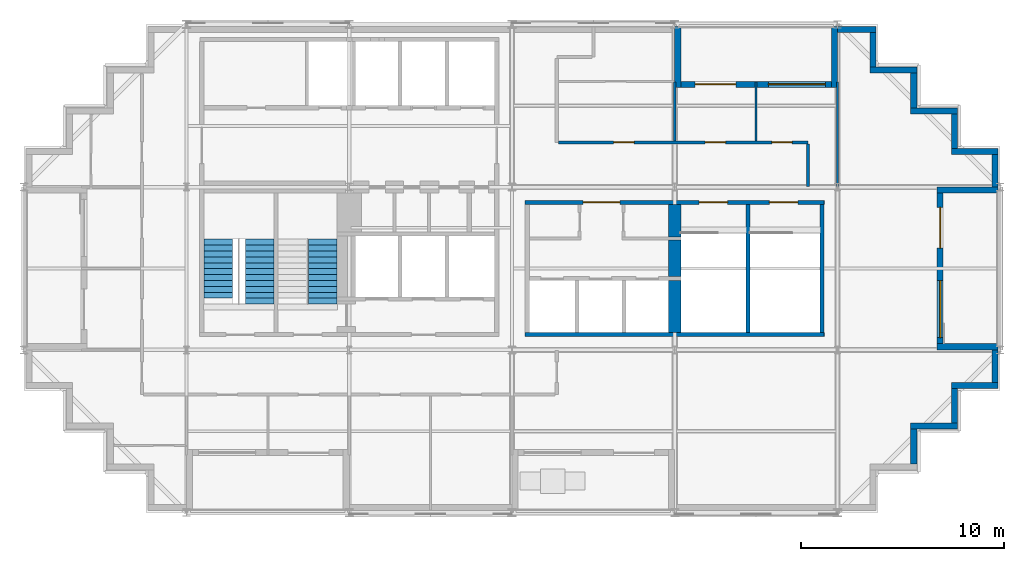
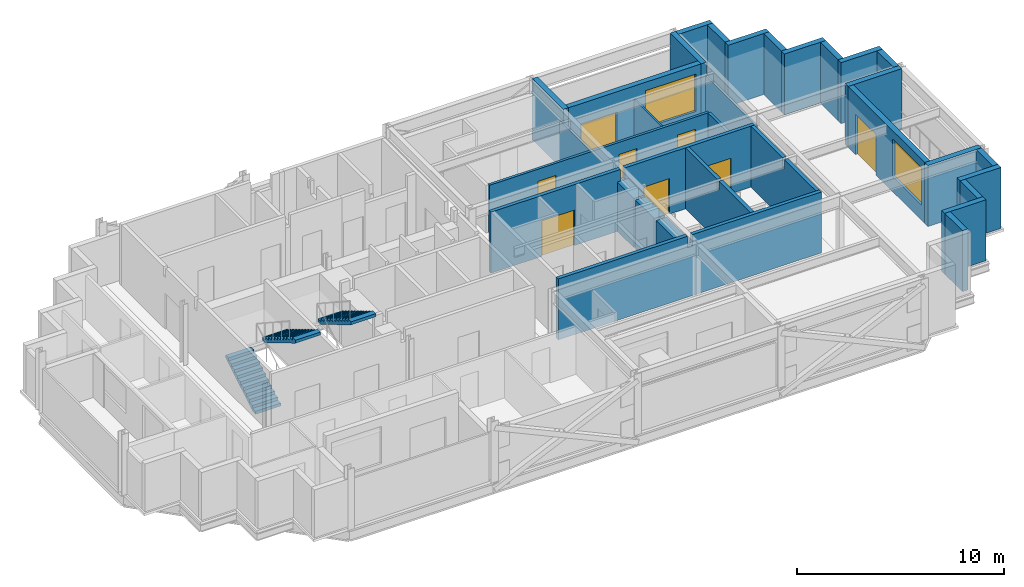
# One storey, part 7 of 10: 31 walls, 8 doors, 3 stair flights, 2 windows, 10 openings, 2 elements without a shape of their own.
"""IFC4 building model written with IfcOpenShell, lengths in metres."""

from ifc_helpers import new_model, si_unit, direction, frame, frame_2d, origin, place, context, subcontext, project, spatial, polyline, rectangle, outline, extrude, material, layer, layer_set, type_object, element, fill, aggregate, save


model = new_model("IFC4")

# Units and contexts
model_context = context("Model", 3, precision=1e-05, world=origin(), true_north=direction((0.0, 1.0)))
body_context = subcontext(model_context, "Body", "Model", "MODEL_VIEW")
ifc_project = project(units=[si_unit("LENGTHUNIT", "METRE"), si_unit("AREAUNIT", "SQUARE_METRE"), si_unit("VOLUMEUNIT", "CUBIC_METRE"), si_unit("PLANEANGLEUNIT", "RADIAN"), si_unit("MASSUNIT", "GRAM", prefix="KILO")], contexts=[model_context])

# Site, building, storey
site_placement = place(None, origin())
site = spatial("IfcSite", under=ifc_project, at=site_placement, CompositionType="ELEMENT")
building_placement = place(site_placement, origin())
building = spatial("IfcBuilding", under=site, at=building_placement, Name="Immortelle Media Tower", CompositionType="ELEMENT")
storey_placement = place(building_placement, frame((0.0, 0.0, 295.0)))
storey = spatial("IfcBuildingStorey", under=building, at=storey_placement, Name="L65", CompositionType="ELEMENT", Elevation=295.0)

# Wall
ifc_material_1 = material(Name="Fire-rated gypsum board", Category="gypsum")
ifc_layer_1 = layer(ifc_material_1, 0.012451171875)
ifc_material_2 = material(Name="Steel ASTM A653 SS Gr 50 stud frame with mineral wool", Category="steel")
ifc_layer_2 = layer(ifc_material_2, 0.125)
ifc_layer_3 = layer(ifc_material_1, 0.012451171875)
ifc_layer_set_1 = layer_set([ifc_layer_1, ifc_layer_2, ifc_layer_3], Name="Steel ASTM A653 SS Gr 50 stud frame with mineral wool")
wall_type_1 = type_object("IfcWallType", Name="Corridor wall 150", PredefinedType="PARTITIONING", material=ifc_layer_set_1)
wall_1_placement = place(storey_placement, frame((38.550048828125, 16.030029296875, 0.0), z_axis=(0.0, 0.0, 1.0), x_axis=(0.0, 1.0, 0.0)))
element("IfcWall", 1, at=wall_1_placement, inside=storey, type_object=wall_type_1, Name="Partition L65-016", PredefinedType="PARTITIONING", context=body_context, shape_type="SweptSolid", body=[
    extrude(rectangle(XDim=2.094970703125, YDim=0.14990234375, at=frame_2d((1.04736328125, 0.0))), origin(), (0.0, 0.0, 1.0), 2.81396484375),
])

# Wall, openings, doors
wall_2_placement = place(storey_placement, frame((26.27490234375, 18.199951171875, 0.0), z_axis=(0.0, 0.0, 1.0), x_axis=(1.0, 0.0, 0.0)))
wall_2 = element("IfcWall", 2, at=wall_2_placement, inside=storey, type_object=wall_type_1, Name="Partition L65-018", PredefinedType="PARTITIONING", context=body_context, shape_type="SweptSolid", body=[
    extrude(rectangle(XDim=12.275146484375, YDim=0.14990234375, at=frame_2d((6.1376953125, 0.0))), origin(), (0.0, 0.0, 1.0), 2.81396484375),
])
opening_1_placement = place(wall_2_placement, frame((7.22509765625, 0.0, 0.0)))
opening_1 = element("IfcOpeningElement", 3, at=opening_1_placement, cuts=wall_2, Name="Opening X6-F012", PredefinedType="OPENING", context=body_context, shape_type="SweptSolid", body=[
    extrude(rectangle(XDim=1.0, YDim=2.10009765625, at=frame_2d((0.5, 1.050048828125))), frame((0.0, 0.0849609375, 0.0), z_axis=(0.0, -1.0, 0.0), x_axis=(1.0, 0.0, 0.0)), (0.0, 0.0, 1.0), 0.169921875),
])
opening_2_placement = place(wall_2_placement, frame((10.5, 0.0, 0.0)))
opening_2 = element("IfcOpeningElement", 4, at=opening_2_placement, cuts=wall_2, Name="Opening X6-F013", PredefinedType="OPENING", context=body_context, shape_type="SweptSolid", body=[
    extrude(rectangle(XDim=1.0, YDim=2.10009765625, at=frame_2d((0.5, 1.050048828125))), frame((0.0, 0.0849609375, 0.0), z_axis=(0.0, -1.0, 0.0), x_axis=(1.0, 0.0, 0.0)), (0.0, 0.0, 1.0), 0.169921875),
])
opening_3_placement = place(wall_2_placement, frame((2.72509765625, 0.0, 0.0)))
opening_3 = element("IfcOpeningElement", 5, at=opening_3_placement, cuts=wall_2, Name="Opening X6-F014", PredefinedType="OPENING", context=body_context, shape_type="SweptSolid", body=[
    extrude(rectangle(XDim=1.0, YDim=2.10009765625, at=frame_2d((0.5, 1.050048828125))), frame((0.0, 0.0849609375, 0.0), z_axis=(0.0, -1.0, 0.0), x_axis=(1.0, 0.0, 0.0)), (0.0, 0.0, 1.0), 0.169921875),
])
ifc_material_3 = material(Name="Timber veneered door leaf, galvanised steel frame ASTM A653", Category="steel")
door_type_1 = type_object("IfcDoorType", Name="Room door 1000 x 2100", OperationType="NOTDEFINED", PredefinedType="DOOR", material=ifc_material_3)
door_1_placement = place(opening_1_placement, origin())
door_1 = element("IfcDoor", 6, at=door_1_placement, inside=storey, type_object=door_type_1, Name="Door X6-F012", OperationType="SINGLE_SWING_LEFT", OverallHeight=2.10009765625, OverallWidth=1.0, PredefinedType="DOOR", context=body_context, shape_type="SweptSolid", body=[
    extrude(rectangle(XDim=1.0, YDim=2.10009765625, at=frame_2d((0.5, 1.050048828125))), frame((0.0, 0.02490234375, 0.0), z_axis=(0.0, -1.0, 0.0), x_axis=(1.0, 0.0, 0.0)), (0.0, 0.0, 1.0), 0.050048828125),
])
fill(opening_1, door_1)
door_2_placement = place(opening_2_placement, origin())
door_2 = element("IfcDoor", 7, at=door_2_placement, inside=storey, type_object=door_type_1, Name="Door X6-F013", OperationType="SINGLE_SWING_LEFT", OverallHeight=2.10009765625, OverallWidth=1.0, PredefinedType="DOOR", context=body_context, shape_type="SweptSolid", body=[
    extrude(rectangle(XDim=1.0, YDim=2.10009765625, at=frame_2d((0.5, 1.050048828125))), frame((0.0, 0.02490234375, 0.0), z_axis=(0.0, -1.0, 0.0), x_axis=(1.0, 0.0, 0.0)), (0.0, 0.0, 1.0), 0.050048828125),
])
fill(opening_2, door_2)
door_3_placement = place(opening_3_placement, origin())
door_3 = element("IfcDoor", 8, at=door_3_placement, inside=storey, type_object=door_type_1, Name="Door X6-F014", OperationType="SINGLE_SWING_RIGHT", OverallHeight=2.10009765625, OverallWidth=1.0, PredefinedType="DOOR", context=body_context, shape_type="SweptSolid", body=[
    extrude(rectangle(XDim=1.0, YDim=2.10009765625, at=frame_2d((0.5, 1.050048828125))), frame((0.0, 0.02490234375, 0.0), z_axis=(0.0, -1.0, 0.0), x_axis=(1.0, 0.0, 0.0)), (0.0, 0.0, 1.0), 0.050048828125),
])
fill(opening_3, door_3)

# Walls
ifc_material_4 = material(Name="Pale aluminium cladding panel", Category="aluminium")
ifc_layer_4 = layer(ifc_material_4, 0.030029296875)
ifc_layer_5 = layer(ifc_material_2, 0.257568359375)
ifc_material_5 = material(Name="Moisture-resistant gypsum board", Category="gypsum")
ifc_layer_6 = layer(ifc_material_5, 0.012451171875)
ifc_layer_set_2 = layer_set([ifc_layer_4, ifc_layer_5, ifc_layer_6], Name="Steel ASTM A653 SS Gr 50 stud frame with mineral wool")
wall_type_2 = type_object("IfcWallType", Name="Facade wall 300", PredefinedType="SOLIDWALL", material=ifc_layer_set_2)
wall_3_placement = place(storey_placement, frame((43.75, 2.39990234375, 0.0), z_axis=(0.0, 0.0, 1.0), x_axis=(0.0, 1.0, 0.0)))
element("IfcWall", 9, at=wall_3_placement, inside=storey, type_object=wall_type_2, Name="Facade wall L65 E9", PredefinedType="SOLIDWALL", context=body_context, shape_type="SweptSolid", body=[
    extrude(rectangle(XDim=1.7001953125, YDim=0.300048828125, at=frame_2d((0.85009765625, 0.0))), origin(), (0.0, 0.0, 1.0), 3.60009765625),
])
wall_4_placement = place(storey_placement, frame((43.60009765625, 4.25, 0.0), z_axis=(0.0, 0.0, 1.0), x_axis=(1.0, 0.0, 0.0)))
element("IfcWall", 10, at=wall_4_placement, inside=storey, type_object=wall_type_2, Name="Facade wall L65 S10", PredefinedType="SOLIDWALL", context=body_context, shape_type="SweptSolid", body=[
    extrude(rectangle(XDim=2.2998046875, YDim=0.300048828125, at=frame_2d((1.14990234375, 0.0))), origin(), (0.0, 0.0, 1.0), 3.60009765625),
])
wall_5_placement = place(storey_placement, frame((45.75, 4.39990234375, 0.0), z_axis=(0.0, 0.0, 1.0), x_axis=(0.0, 1.0, 0.0)))
element("IfcWall", 11, at=wall_5_placement, inside=storey, type_object=wall_type_2, Name="Facade wall L65 E11", PredefinedType="SOLIDWALL", context=body_context, shape_type="SweptSolid", body=[
    extrude(rectangle(XDim=1.7001953125, YDim=0.300048828125, at=frame_2d((0.85009765625, 0.0))), origin(), (0.0, 0.0, 1.0), 3.60009765625),
])
wall_6_placement = place(storey_placement, frame((45.60009765625, 6.25, 0.0), z_axis=(0.0, 0.0, 1.0), x_axis=(1.0, 0.0, 0.0)))
element("IfcWall", 12, at=wall_6_placement, inside=storey, type_object=wall_type_2, Name="Facade wall L65 S12", PredefinedType="SOLIDWALL", context=body_context, shape_type="SweptSolid", body=[
    extrude(rectangle(XDim=2.2998046875, YDim=0.300048828125, at=frame_2d((1.14990234375, 0.0))), origin(), (0.0, 0.0, 1.0), 3.60009765625),
])
wall_7_placement = place(storey_placement, frame((47.75, 6.39990234375, 0.0), z_axis=(0.0, 0.0, 1.0), x_axis=(0.0, 1.0, 0.0)))
element("IfcWall", 13, at=wall_7_placement, inside=storey, type_object=wall_type_2, Name="Facade wall L65 E13", PredefinedType="SOLIDWALL", context=body_context, shape_type="SweptSolid", body=[
    extrude(rectangle(XDim=1.60009765625, YDim=0.300048828125, at=frame_2d((0.800048828125, 0.0))), origin(), (0.0, 0.0, 1.0), 3.60009765625),
])

# Wall, openings, door, window
wall_8_placement = place(storey_placement, frame((45.050048828125, 8.300048828125, 0.0), z_axis=(0.0, 0.0, 1.0), x_axis=(0.0, 1.0, 0.0)))
wall_8 = element("IfcWall", 14, at=wall_8_placement, inside=storey, type_object=wall_type_2, Name="Loggia wall L65 E13", PredefinedType="SOLIDWALL", context=body_context, shape_type="SweptSolid", body=[
    extrude(rectangle(XDim=7.39990234375, YDim=0.300048828125, at=frame_2d((3.699951171875, 0.0))), origin(), (0.0, 0.0, 1.0), 3.60009765625),
])
opening_4_placement = place(wall_8_placement, frame((0.300048828125, 0.0, 0.89990234375)))
opening_4 = element("IfcOpeningElement", 15, at=opening_4_placement, cuts=wall_8, Name="Opening W1", PredefinedType="OPENING", context=body_context, shape_type="SweptSolid", body=[
    extrude(rectangle(XDim=2.800048828125, YDim=2.199951171875, at=frame_2d((1.39990234375, 1.10009765625))), frame((0.0, 0.159912109375, 0.0), z_axis=(0.0, -1.0, 0.0), x_axis=(1.0, 0.0, 0.0)), (0.0, 0.0, 1.0), 0.320068359375),
])
opening_5_placement = place(wall_8_placement, frame((4.699951171875, 0.0, 0.0)))
opening_5 = element("IfcOpeningElement", 16, at=opening_5_placement, cuts=wall_8, Name="Opening X6-E003", PredefinedType="OPENING", context=body_context, shape_type="SweptSolid", body=[
    extrude(rectangle(XDim=2.0, YDim=2.39990234375, at=frame_2d((1.0, 1.199951171875))), frame((0.0, 0.159912109375, 0.0), z_axis=(0.0, -1.0, 0.0), x_axis=(1.0, 0.0, 0.0)), (0.0, 0.0, 1.0), 0.320068359375),
])
ifc_material_6 = material(Name="Aluminium frame, glazed leaves", Category="aluminium")
door_type_2 = type_object("IfcDoorType", Name="Loggia door 2000 x 2400", OperationType="DOUBLE_DOOR_SINGLE_SWING", PredefinedType="DOOR", material=ifc_material_6)
door_4_placement = place(opening_5_placement, origin())
door_4 = element("IfcDoor", 17, at=door_4_placement, inside=storey, type_object=door_type_2, Name="Door X6-E003", OperationType="DOUBLE_DOOR_SINGLE_SWING", OverallHeight=2.39990234375, OverallWidth=2.0, PredefinedType="DOOR", context=body_context, shape_type="SweptSolid", body=[
    extrude(rectangle(XDim=2.0, YDim=2.39990234375, at=frame_2d((1.0, 1.199951171875))), frame((0.0, 0.02490234375, 0.0), z_axis=(0.0, -1.0, 0.0), x_axis=(1.0, 0.0, 0.0)), (0.0, 0.0, 1.0), 0.050048828125),
])
fill(opening_5, door_4)
ifc_material_7 = material(Name="Aluminium frame", Category="aluminium")
window_type = type_object("IfcWindowType", Name="Window 2800 x 2200", PartitioningType="SINGLE_PANEL", PredefinedType="WINDOW", material=ifc_material_7)
window_1_placement = place(opening_4_placement, origin())
window_1 = element("IfcWindow", 18, at=window_1_placement, inside=storey, type_object=window_type, Name="Window L65 L65-R13-B0", OverallHeight=2.199951171875, OverallWidth=2.800048828125, PartitioningType="SINGLE_PANEL", PredefinedType="WINDOW", context=body_context, shape_type="SweptSolid", body=[
    extrude(rectangle(XDim=2.800048828125, YDim=2.199951171875, at=frame_2d((1.39990234375, 1.10009765625))), frame((0.0, 0.030029296875, 0.0), z_axis=(0.0, -1.0, 0.0), x_axis=(1.0, 0.0, 0.0)), (0.0, 0.0, 1.0), 0.06005859375),
])
fill(opening_4, window_1)

# Walls
for number, where, z_axis, x_axis, name in (
    (19, (47.89990234375, 8.14990234375, 0.0), (0.0, 0.0, 1.0), (-1.0, 0.0, 0.0), "Loggia cheek wall L65 E"),
    (20, (47.89990234375, 15.85009765625, 0.0), (0.0, 0.0, 1.0), (-1.0, 0.0, 0.0), "Loggia cheek wall L65 E"),
):
    element("IfcWall", number, at=place(storey_placement, frame(where, z_axis=z_axis, x_axis=x_axis)), inside=storey, type_object=wall_type_2, Name=name, PredefinedType="SOLIDWALL", context=body_context, shape_type="SweptSolid", body=[
        extrude(rectangle(XDim=3.0, YDim=0.300048828125, at=frame_2d((1.5, 0.0))), origin(), (0.0, 0.0, 1.0), 3.60009765625),
    ])
wall_9_placement = place(storey_placement, frame((47.75, 16.0, 0.0), z_axis=(0.0, 0.0, 1.0), x_axis=(0.0, 1.0, 0.0)))
element("IfcWall", 21, at=wall_9_placement, inside=storey, type_object=wall_type_2, Name="Facade wall L65 E13", PredefinedType="SOLIDWALL", context=body_context, shape_type="SweptSolid", body=[
    extrude(rectangle(XDim=1.60009765625, YDim=0.300048828125, at=frame_2d((0.800048828125, 0.0))), origin(), (0.0, 0.0, 1.0), 3.60009765625),
])
wall_10_placement = place(storey_placement, frame((47.89990234375, 17.75, 0.0), z_axis=(0.0, 0.0, 1.0), x_axis=(-1.0, 0.0, 0.0)))
element("IfcWall", 22, at=wall_10_placement, inside=storey, type_object=wall_type_2, Name="Facade wall L65 N14", PredefinedType="SOLIDWALL", context=body_context, shape_type="SweptSolid", body=[
    extrude(rectangle(XDim=2.2998046875, YDim=0.300048828125, at=frame_2d((1.14990234375, 0.0))), origin(), (0.0, 0.0, 1.0), 3.60009765625),
])
wall_11_placement = place(storey_placement, frame((45.75, 17.89990234375, 0.0), z_axis=(0.0, 0.0, 1.0), x_axis=(0.0, 1.0, 0.0)))
element("IfcWall", 23, at=wall_11_placement, inside=storey, type_object=wall_type_2, Name="Facade wall L65 E15", PredefinedType="SOLIDWALL", context=body_context, shape_type="SweptSolid", body=[
    extrude(rectangle(XDim=1.7001953125, YDim=0.300048828125, at=frame_2d((0.85009765625, 0.0))), origin(), (0.0, 0.0, 1.0), 3.60009765625),
])
wall_12_placement = place(storey_placement, frame((45.89990234375, 19.75, 0.0), z_axis=(0.0, 0.0, 1.0), x_axis=(-1.0, 0.0, 0.0)))
element("IfcWall", 24, at=wall_12_placement, inside=storey, type_object=wall_type_2, Name="Facade wall L65 N16", PredefinedType="SOLIDWALL", context=body_context, shape_type="SweptSolid", body=[
    extrude(rectangle(XDim=2.2998046875, YDim=0.300048828125, at=frame_2d((1.14990234375, 0.0))), origin(), (0.0, 0.0, 1.0), 3.60009765625),
])
wall_13_placement = place(storey_placement, frame((43.75, 19.89990234375, 0.0), z_axis=(0.0, 0.0, 1.0), x_axis=(0.0, 1.0, 0.0)))
element("IfcWall", 25, at=wall_13_placement, inside=storey, type_object=wall_type_2, Name="Facade wall L65 E17", PredefinedType="SOLIDWALL", context=body_context, shape_type="SweptSolid", body=[
    extrude(rectangle(XDim=1.7001953125, YDim=0.300048828125, at=frame_2d((0.85009765625, 0.0))), origin(), (0.0, 0.0, 1.0), 3.60009765625),
])
wall_14_placement = place(storey_placement, frame((43.89990234375, 21.75, 0.0), z_axis=(0.0, 0.0, 1.0), x_axis=(-1.0, 0.0, 0.0)))
element("IfcWall", 26, at=wall_14_placement, inside=storey, type_object=wall_type_2, Name="Facade wall L65 N18", PredefinedType="SOLIDWALL", context=body_context, shape_type="SweptSolid", body=[
    extrude(rectangle(XDim=2.2998046875, YDim=0.300048828125, at=frame_2d((1.14990234375, 0.0))), origin(), (0.0, 0.0, 1.0), 3.60009765625),
])
wall_15_placement = place(storey_placement, frame((41.75, 21.89990234375, 0.0), z_axis=(0.0, 0.0, 1.0), x_axis=(0.0, 1.0, 0.0)))
element("IfcWall", 27, at=wall_15_placement, inside=storey, type_object=wall_type_2, Name="Facade wall L65 E19", PredefinedType="SOLIDWALL", context=body_context, shape_type="SweptSolid", body=[
    extrude(rectangle(XDim=1.7001953125, YDim=0.300048828125, at=frame_2d((0.85009765625, 0.0))), origin(), (0.0, 0.0, 1.0), 3.60009765625),
])
wall_16_placement = place(storey_placement, frame((41.89990234375, 23.75, 0.0), z_axis=(0.0, 0.0, 1.0), x_axis=(-1.0, 0.0, 0.0)))
element("IfcWall", 28, at=wall_16_placement, inside=storey, type_object=wall_type_2, Name="Facade wall L65 N20", PredefinedType="SOLIDWALL", context=body_context, shape_type="SweptSolid", body=[
    extrude(rectangle(XDim=1.89990234375, YDim=0.300048828125, at=frame_2d((0.949951171875, 0.0))), origin(), (0.0, 0.0, 1.0), 3.60009765625),
])

# Wall, openings, door, window
wall_17_placement = place(storey_placement, frame((39.699951171875, 21.050048828125, 0.0), z_axis=(0.0, 0.0, 1.0), x_axis=(-1.0, 0.0, 0.0)))
wall_17 = element("IfcWall", 29, at=wall_17_placement, inside=storey, type_object=wall_type_2, Name="Loggia wall L65 N20", PredefinedType="SOLIDWALL", context=body_context, shape_type="SweptSolid", body=[
    extrude(rectangle(XDim=7.39990234375, YDim=0.300048828125, at=frame_2d((3.699951171875, 0.0))), origin(), (0.0, 0.0, 1.0), 3.60009765625),
])
opening_6_placement = place(wall_17_placement, frame((0.300048828125, 0.0, 0.89990234375)))
opening_6 = element("IfcOpeningElement", 30, at=opening_6_placement, cuts=wall_17, Name="Opening W1", PredefinedType="OPENING", context=body_context, shape_type="SweptSolid", body=[
    extrude(rectangle(XDim=2.800048828125, YDim=2.199951171875, at=frame_2d((1.39990234375, 1.10009765625))), frame((0.0, 0.159912109375, 0.0), z_axis=(0.0, -1.0, 0.0), x_axis=(1.0, 0.0, 0.0)), (0.0, 0.0, 1.0), 0.320068359375),
])
opening_7_placement = place(wall_17_placement, frame((4.699951171875, 0.0, 0.0)))
opening_7 = element("IfcOpeningElement", 31, at=opening_7_placement, cuts=wall_17, Name="Opening X6-E004", PredefinedType="OPENING", context=body_context, shape_type="SweptSolid", body=[
    extrude(rectangle(XDim=2.0, YDim=2.39990234375, at=frame_2d((1.0, 1.199951171875))), frame((0.0, 0.159912109375, 0.0), z_axis=(0.0, -1.0, 0.0), x_axis=(1.0, 0.0, 0.0)), (0.0, 0.0, 1.0), 0.320068359375),
])
door_5_placement = place(opening_7_placement, origin())
door_5 = element("IfcDoor", 32, at=door_5_placement, inside=storey, type_object=door_type_2, Name="Door X6-E004", OperationType="DOUBLE_DOOR_SINGLE_SWING", OverallHeight=2.39990234375, OverallWidth=2.0, PredefinedType="DOOR", context=body_context, shape_type="SweptSolid", body=[
    extrude(rectangle(XDim=2.0, YDim=2.39990234375, at=frame_2d((1.0, 1.199951171875))), frame((0.0, 0.02490234375, 0.0), z_axis=(0.0, -1.0, 0.0), x_axis=(1.0, 0.0, 0.0)), (0.0, 0.0, 1.0), 0.050048828125),
])
fill(opening_7, door_5)
window_2_placement = place(opening_6_placement, origin())
window_2 = element("IfcWindow", 33, at=window_2_placement, inside=storey, type_object=window_type, Name="Window L65 L65-R20-B0", OverallHeight=2.199951171875, OverallWidth=2.800048828125, PartitioningType="SINGLE_PANEL", PredefinedType="WINDOW", context=body_context, shape_type="SweptSolid", body=[
    extrude(rectangle(XDim=2.800048828125, YDim=2.199951171875, at=frame_2d((1.39990234375, 1.10009765625))), frame((0.0, 0.030029296875, 0.0), z_axis=(0.0, -1.0, 0.0), x_axis=(1.0, 0.0, 0.0)), (0.0, 0.0, 1.0), 0.06005859375),
])
fill(opening_6, window_2)

# Walls
for number, where, z_axis, x_axis, name in (
    (34, (39.85009765625, 23.89990234375, 0.0), (0.0, 0.0, 1.0), (0.0, -1.0, 0.0), "Loggia cheek wall L65 N"),
    (35, (32.14990234375, 23.89990234375, 0.0), (0.0, 0.0, 1.0), (0.0, -1.0, 0.0), "Loggia cheek wall L65 N"),
):
    element("IfcWall", number, at=place(storey_placement, frame(where, z_axis=z_axis, x_axis=x_axis)), inside=storey, type_object=wall_type_2, Name=name, PredefinedType="SOLIDWALL", context=body_context, shape_type="SweptSolid", body=[
        extrude(rectangle(XDim=3.0, YDim=0.300048828125, at=frame_2d((1.5, 0.0))), origin(), (0.0, 0.0, 1.0), 3.60009765625),
    ])
ifc_material_8 = material(Name="Gypsum board", Category="gypsum")
ifc_layer_7 = layer(ifc_material_8, 0.012451171875)
ifc_layer_8 = layer(ifc_material_2, 0.074951171875)
ifc_layer_9 = layer(ifc_material_8, 0.012451171875)
ifc_layer_set_3 = layer_set([ifc_layer_7, ifc_layer_8, ifc_layer_9], Name="Steel ASTM A653 SS Gr 50 stud frame with mineral wool")
wall_type_3 = type_object("IfcWallType", Name="Partition 100", PredefinedType="PARTITIONING", material=ifc_layer_set_3)
wall_18_placement = place(storey_placement, frame((40.0, 16.030029296875, 0.0), z_axis=(0.0, 0.0, 1.0), x_axis=(0.0, 1.0, 0.0)))
element("IfcWall", 36, at=wall_18_placement, inside=storey, type_object=wall_type_3, Name="Partition L65-017", PredefinedType="PARTITIONING", context=body_context, shape_type="SweptSolid", body=[
    extrude(rectangle(XDim=5.139892578125, YDim=0.10009765625, at=frame_2d((2.56982421875, 0.0))), origin(), (0.0, 0.0, 1.0), 2.81396484375),
])
for number, where, z_axis, x_axis, name in (
    (37, (32.0, 18.27490234375, 0.0), (0.0, 0.0, 1.0), (0.0, 1.0, 0.0), "Partition L65-020"),
    (38, (36.0, 18.27490234375, 0.0), (0.0, 0.0, 1.0), (0.0, 1.0, 0.0), "Partition L65-021"),
):
    element("IfcWall", number, at=place(storey_placement, frame(where, z_axis=z_axis, x_axis=x_axis)), inside=storey, type_object=wall_type_3, Name=name, PredefinedType="PARTITIONING", context=body_context, shape_type="SweptSolid", body=[
        extrude(rectangle(XDim=2.89501953125, YDim=0.10009765625, at=frame_2d((1.447509765625, 0.0))), origin(), (0.0, 0.0, 1.0), 2.81396484375),
    ])
ifc_material_9 = material(Name="Concrete C60", Category="concrete")
ifc_layer_10 = layer(ifc_material_9, 0.199951171875)
ifc_layer_set_4 = layer_set([ifc_layer_10], Name="Concrete C60")
wall_type_4 = type_object("IfcWallType", Name="Stair shaft wall 200", PredefinedType="PARTITIONING", material=ifc_layer_set_4)
wall_19_placement = place(storey_placement, frame((24.64990234375, 8.75, 0.0), z_axis=(0.0, 0.0, 1.0), x_axis=(1.0, 0.0, 0.0)))
element("IfcWall", 39, at=wall_19_placement, inside=storey, type_object=wall_type_4, Name="Stair shaft wall SE", PredefinedType="PARTITIONING", context=body_context, shape_type="SweptSolid", body=[
    extrude(outline(polyline([(0.0, 0.0), (14.7001953125, 0.0), (14.699951171875, 3.60009765625), (7.4814453125, 3.60009765625), (7.48046875, 2.916015625), (7.219482421875, 2.916015625), (7.218505859375, 3.60009765625), (0.0, 3.60009765625), (0.0, 0.0)])), frame((0.0, 0.10009765625, 0.0), z_axis=(0.0, -1.0, 0.0), x_axis=(1.0, 0.0, 0.0)), (0.0, 0.0, 1.0), 0.199951171875),
])

# Wall, openings, doors
wall_20_placement = place(storey_placement, frame((24.64990234375, 15.25, 0.0), z_axis=(0.0, 0.0, 1.0), x_axis=(1.0, 0.0, 0.0)))
wall_20 = element("IfcWall", 40, at=wall_20_placement, inside=storey, type_object=wall_type_4, Name="Stair shaft wall SE", PredefinedType="PARTITIONING", context=body_context, shape_type="SweptSolid", body=[
    extrude(outline(polyline([(0.0, 0.0), (14.7001953125, 0.0), (14.699951171875, 3.60009765625), (7.4814453125, 3.60009765625), (7.48046875, 2.916015625), (7.219482421875, 2.916015625), (7.218505859375, 3.60009765625), (0.0, 3.60009765625), (0.0, 0.0)])), frame((0.0, 0.10009765625, 0.0), z_axis=(0.0, -1.0, 0.0), x_axis=(1.0, 0.0, 0.0)), (0.0, 0.0, 1.0), 0.199951171875),
])
opening_8_placement = place(wall_20_placement, frame((2.85009765625, 0.0, 0.0)))
opening_8 = element("IfcOpeningElement", 41, at=opening_8_placement, cuts=wall_20, Name="Opening X6-K023", PredefinedType="OPENING", context=body_context, shape_type="SweptSolid", body=[
    extrude(rectangle(XDim=1.800048828125, YDim=2.10009765625, at=frame_2d((0.89990234375, 1.050048828125))), frame((0.0, 0.10986328125, 0.0), z_axis=(0.0, -1.0, 0.0), x_axis=(1.0, 0.0, 0.0)), (0.0, 0.0, 1.0), 0.219970703125),
])
opening_9_placement = place(wall_20_placement, frame((9.949951171875, 0.0, 0.0), z_axis=(0.0, 0.0, 1.0), x_axis=(-1.0, 0.0, 0.0)))
opening_9 = element("IfcOpeningElement", 42, at=opening_9_placement, cuts=wall_20, Name="Opening X6-K025", PredefinedType="OPENING", context=body_context, shape_type="SweptSolid", body=[
    extrude(rectangle(XDim=1.39990234375, YDim=2.10009765625, at=frame_2d((0.699951171875, 1.050048828125))), frame((0.0, 0.10986328125, 0.0), z_axis=(0.0, -1.0, 0.0), x_axis=(1.0, 0.0, 0.0)), (0.0, 0.0, 1.0), 0.219970703125),
])
opening_10_placement = place(wall_20_placement, frame((13.39990234375, 0.0, 0.0), z_axis=(0.0, 0.0, 1.0), x_axis=(-1.0, 0.0, 0.0)))
opening_10 = element("IfcOpeningElement", 43, at=opening_10_placement, cuts=wall_20, Name="Opening X6-K026", PredefinedType="OPENING", context=body_context, shape_type="SweptSolid", body=[
    extrude(rectangle(XDim=1.39990234375, YDim=2.10009765625, at=frame_2d((0.699951171875, 1.050048828125))), frame((0.0, 0.10986328125, 0.0), z_axis=(0.0, -1.0, 0.0), x_axis=(1.0, 0.0, 0.0)), (0.0, 0.0, 1.0), 0.219970703125),
])
ifc_material_10 = material(Name="Galvanised steel door leaf and frame ASTM A653", Category="steel")
door_type_3 = type_object("IfcDoorType", Name="Lift lobby door 1800 x 2100", OperationType="DOUBLE_DOOR_SINGLE_SWING", PredefinedType="NOTDEFINED", material=ifc_material_10)
door_6_placement = place(opening_8_placement, origin())
door_6 = element("IfcDoor", 44, at=door_6_placement, inside=storey, type_object=door_type_3, Name="Lift lobby X6-K023", OperationType="DOUBLE_DOOR_SINGLE_SWING", OverallHeight=2.10009765625, OverallWidth=1.800048828125, PredefinedType="NOTDEFINED", context=body_context, shape_type="SweptSolid", body=[
    extrude(rectangle(XDim=1.800048828125, YDim=2.10009765625, at=frame_2d((0.89990234375, 1.050048828125))), frame((0.0, 0.02490234375, 0.0), z_axis=(0.0, -1.0, 0.0), x_axis=(1.0, 0.0, 0.0)), (0.0, 0.0, 1.0), 0.050048828125),
])
fill(opening_8, door_6)
door_type_4 = type_object("IfcDoorType", Name="Stair door 1400 x 2100", OperationType="DOUBLE_DOOR_SINGLE_SWING", PredefinedType="NOTDEFINED", material=ifc_material_10)
door_7_placement = place(opening_9_placement, origin())
door_7 = element("IfcDoor", 45, at=door_7_placement, inside=storey, type_object=door_type_4, Name="Stair X6-K025", OperationType="DOUBLE_DOOR_SINGLE_SWING", OverallHeight=2.10009765625, OverallWidth=1.39990234375, PredefinedType="NOTDEFINED", context=body_context, shape_type="SweptSolid", body=[
    extrude(rectangle(XDim=1.39990234375, YDim=2.10009765625, at=frame_2d((0.699951171875, 1.050048828125))), frame((0.0, 0.02490234375, 0.0), z_axis=(0.0, -1.0, 0.0), x_axis=(1.0, 0.0, 0.0)), (0.0, 0.0, 1.0), 0.050048828125),
])
fill(opening_9, door_7)
door_8_placement = place(opening_10_placement, origin())
door_8 = element("IfcDoor", 46, at=door_8_placement, inside=storey, type_object=door_type_4, Name="Stair X6-K026", OperationType="DOUBLE_DOOR_SINGLE_SWING", OverallHeight=2.10009765625, OverallWidth=1.39990234375, PredefinedType="NOTDEFINED", context=body_context, shape_type="SweptSolid", body=[
    extrude(rectangle(XDim=1.39990234375, YDim=2.10009765625, at=frame_2d((0.699951171875, 1.050048828125))), frame((0.0, 0.02490234375, 0.0), z_axis=(0.0, -1.0, 0.0), x_axis=(1.0, 0.0, 0.0)), (0.0, 0.0, 1.0), 0.050048828125),
])
fill(opening_10, door_8)

# Walls
for number, where, z_axis, x_axis, name in (
    (47, (35.60009765625, 8.85009765625, 0.0), (0.0, 0.0, 1.0), (0.0, 1.0, 0.0), "Stair shaft wall SE"),
    (48, (39.25, 8.85009765625, 0.0), (0.0, 0.0, 1.0), (0.0, 1.0, 0.0), "Stair shaft wall SE"),
):
    element("IfcWall", number, at=place(storey_placement, frame(where, z_axis=z_axis, x_axis=x_axis)), inside=storey, type_object=wall_type_4, Name=name, PredefinedType="PARTITIONING", context=body_context, shape_type="SweptSolid", body=[
        extrude(outline(polyline([(0.0, 0.0), (6.2998046875, 0.0), (6.300048828125, 3.60009765625), (3.238525390625, 3.60009765625), (3.237548828125, 3.05810546875), (3.0625, 3.05810546875), (3.0615234375, 3.60009765625), (0.0, 3.60009765625), (0.0, 0.0)])), frame((0.0, 0.10009765625, 0.0), z_axis=(0.0, -1.0, 0.0), x_axis=(1.0, 0.0, 0.0)), (0.0, 0.0, 1.0), 0.199951171875),
    ])
ifc_layer_11 = layer(ifc_material_9, 0.60009765625)
ifc_layer_set_5 = layer_set([ifc_layer_11], Name="Concrete C60")
wall_type_5 = type_object("IfcWallType", Name="Stair shaft wall 600", PredefinedType="PARTITIONING", material=ifc_layer_set_5)
wall_21_placement = place(storey_placement, frame((32.0, 8.85009765625, 0.0), z_axis=(0.0, 0.0, 1.0), x_axis=(0.0, 1.0, 0.0)))
element("IfcWall", 49, at=wall_21_placement, inside=storey, type_object=wall_type_5, Name="Stair shaft wall SE", PredefinedType="PARTITIONING", context=body_context, shape_type="SweptSolid", body=[
    extrude(rectangle(XDim=2.5498046875, YDim=0.60009765625, at=frame_2d((1.27490234375, 0.0))), origin(), (0.0, 0.0, 1.0), 2.916015625),
])
wall_22_placement = place(storey_placement, frame((32.0, 11.60009765625, 0.0), z_axis=(0.0, 0.0, 1.0), x_axis=(0.0, 1.0, 0.0)))
element("IfcWall", 50, at=wall_22_placement, inside=storey, type_object=wall_type_5, Name="Stair shaft wall SE", PredefinedType="PARTITIONING", context=body_context, shape_type="SweptSolid", body=[
    extrude(rectangle(XDim=1.7998046875, YDim=0.60009765625, at=frame_2d((0.89990234375, 0.0))), origin(), (0.0, 0.0, 1.0), 2.916015625),
])
wall_23_placement = place(storey_placement, frame((32.0, 13.550048828125, 0.0), z_axis=(0.0, 0.0, 1.0), x_axis=(0.0, 1.0, 0.0)))
element("IfcWall", 51, at=wall_23_placement, inside=storey, type_object=wall_type_5, Name="Stair shaft wall SE", PredefinedType="PARTITIONING", context=body_context, shape_type="SweptSolid", body=[
    extrude(rectangle(XDim=1.599853515625, YDim=0.60009765625, at=frame_2d((0.7998046875, 0.0))), origin(), (0.0, 0.0, 1.0), 2.916015625),
])

# Stair, stair flights
ifc_material_11 = material(Name="Steel ASTM A992 Gr 50", Category="steel")
stair_type = type_object("IfcStairType", Name="Stair with flights", PredefinedType="DOUBLE_RETURN_STAIR", material=ifc_material_11)
stair_1_placement = place(storey_placement, origin())
stair_1 = element("IfcStair", 52, at=stair_1_placement, inside=storey, type_object=stair_type, Name="Exit stair SW1", PredefinedType="DOUBLE_RETURN_STAIR")
stair_flight_type = type_object("IfcStairFlightType", Name="Stair flight 1400", PredefinedType="STRAIGHT", material=ifc_material_11)
stair_flight_1_placement = place(storey_placement, frame((9.550048828125, 10.5400390625, 0.0), z_axis=(0.0, 0.0, 1.0), x_axis=(0.0, 1.0, 0.0)))
stair_flight_1 = element("IfcStairFlight", 53, at=stair_flight_1_placement, type_object=stair_flight_type, Name="ST SW1 flight 1", NumberOfRisers=11, NumberOfTreads=10, PredefinedType="STRAIGHT", RiserHeight=0.173913043, TreadLength=0.29, context=body_context, shape_type="SweptSolid", body=[
    extrude(outline(polyline([(0.0, 0.0), (0.0, 0.173828125), (0.2900390625, 0.173828125), (0.2900390625, 0.347900390625), (0.580078125, 0.347900390625), (0.580078125, 0.521728515625), (0.8701171875, 0.521728515625), (0.8701171875, 0.695556640625), (1.159912109375, 0.695556640625), (1.159912109375, 0.86962890625), (1.449951171875, 0.86962890625), (1.449951171875, 1.04345703125), (1.739990234375, 1.04345703125), (1.739990234375, 1.21728515625), (2.030029296875, 1.21728515625), (2.030029296875, 1.391357421875), (2.320068359375, 1.391357421875), (2.320068359375, 1.565185546875), (2.610107421875, 1.565185546875), (2.610107421875, 1.739013671875), (2.89990234375, 1.739013671875), (2.89990234375, 1.9130859375), (2.89990234375, 1.564453125), (0.29150390625, 0.0), (0.0, 0.0)])), frame((0.0, 0.699951171875, 0.0), z_axis=(0.0, -1.0, 0.0), x_axis=(1.0, 0.0, 0.0)), (0.0, 0.0, 1.0), 1.39990234375),
])
stair_flight_2_placement = place(storey_placement, frame((11.60009765625, 13.43994140625, 1.9130859375), z_axis=(0.0, 0.0, 1.0), x_axis=(0.0, -1.0, 0.0)))
stair_flight_2 = element("IfcStairFlight", 54, at=stair_flight_2_placement, type_object=stair_flight_type, Name="ST SW1 flight 2", NumberOfRisers=12, NumberOfTreads=11, PredefinedType="STRAIGHT", RiserHeight=0.173913043, TreadLength=0.29, context=body_context, shape_type="SweptSolid", body=[
    extrude(outline(polyline([(0.0, 0.0), (0.0, 0.173828125), (0.2900390625, 0.173828125), (0.2900390625, 0.347900390625), (0.580078125, 0.347900390625), (0.580078125, 0.521728515625), (0.8701171875, 0.521728515625), (0.8701171875, 0.695556640625), (1.159912109375, 0.695556640625), (1.159912109375, 0.86962890625), (1.449951171875, 0.86962890625), (1.449951171875, 1.04345703125), (1.739990234375, 1.04345703125), (1.739990234375, 1.21728515625), (2.030029296875, 1.21728515625), (2.030029296875, 1.391357421875), (2.320068359375, 1.391357421875), (2.320068359375, 1.565185546875), (2.610107421875, 1.565185546875), (2.610107421875, 1.739013671875), (2.89990234375, 1.739013671875), (2.89990234375, 1.9130859375), (3.18994140625, 1.9130859375), (3.18994140625, 2.0869140625), (3.18994140625, 1.73828125), (0.29150390625, 0.0), (0.0, 0.0)])), frame((0.0, 0.699951171875, 0.0), z_axis=(0.0, -1.0, 0.0), x_axis=(1.0, 0.0, 0.0)), (0.0, 0.0, 1.0), 1.39990234375),
])
aggregate(stair_1, [stair_flight_1, stair_flight_2])

# Stair, stair flight
stair_2_placement = place(storey_placement, origin())
stair_2 = element("IfcStair", 55, at=stair_2_placement, inside=storey, type_object=stair_type, Name="Exit stair SW2", PredefinedType="DOUBLE_RETURN_STAIR")
stair_flight_3_placement = place(storey_placement, frame((14.699951171875, 13.43994140625, 1.9130859375), z_axis=(0.0, 0.0, 1.0), x_axis=(0.0, -1.0, 0.0)))
stair_flight_3 = element("IfcStairFlight", 56, at=stair_flight_3_placement, type_object=stair_flight_type, Name="ST SW2 flight 2", NumberOfRisers=12, NumberOfTreads=11, PredefinedType="STRAIGHT", RiserHeight=0.173913043, TreadLength=0.29, context=body_context, shape_type="SweptSolid", body=[
    extrude(outline(polyline([(0.0, 0.0), (0.0, 0.173828125), (0.2900390625, 0.173828125), (0.2900390625, 0.347900390625), (0.580078125, 0.347900390625), (0.580078125, 0.521728515625), (0.8701171875, 0.521728515625), (0.8701171875, 0.695556640625), (1.159912109375, 0.695556640625), (1.159912109375, 0.86962890625), (1.449951171875, 0.86962890625), (1.449951171875, 1.04345703125), (1.739990234375, 1.04345703125), (1.739990234375, 1.21728515625), (2.030029296875, 1.21728515625), (2.030029296875, 1.391357421875), (2.320068359375, 1.391357421875), (2.320068359375, 1.565185546875), (2.610107421875, 1.565185546875), (2.610107421875, 1.739013671875), (2.89990234375, 1.739013671875), (2.89990234375, 1.9130859375), (3.18994140625, 1.9130859375), (3.18994140625, 2.0869140625), (3.18994140625, 1.73828125), (0.29150390625, 0.0), (0.0, 0.0)])), frame((0.0, 0.699951171875, 0.0), z_axis=(0.0, -1.0, 0.0), x_axis=(1.0, 0.0, 0.0)), (0.0, 0.0, 1.0), 1.39990234375),
])
aggregate(stair_2, [stair_flight_3])

save(model, "model.ifc")
